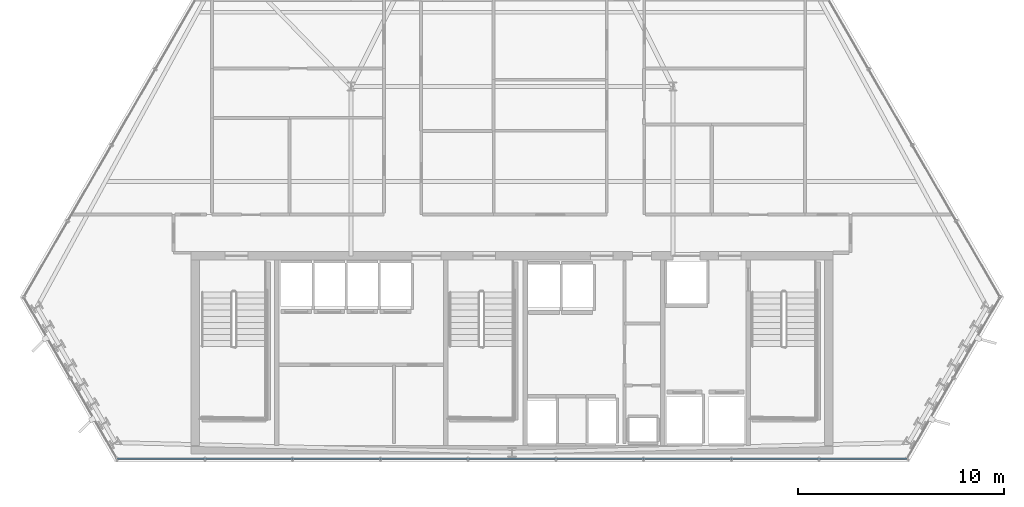
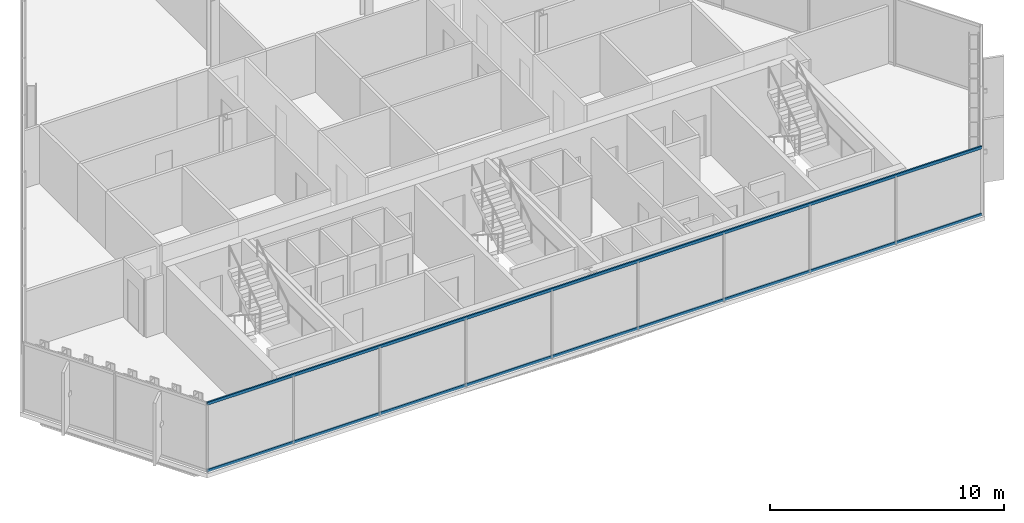
# One storey, part 7 of 34: 2 members, 1 element without a shape of its own.
"""IFC4 building model written with IfcOpenShell, lengths in metres."""

from ifc_helpers import new_model, si_unit, direction, frame, origin, origin_2d, place, context, subcontext, project, spatial, hollow_rectangle, extrude, material, layer, layer_set, material_profile, profile_set, type_object, element, aggregate, save


model = new_model("IFC4")

# Units and contexts
model_context = context("Model", 3, precision=1e-05, world=origin(), true_north=direction((0.0, 1.0)))
body_context = subcontext(model_context, "Body", "Model", "MODEL_VIEW")
ifc_project = project(units=[si_unit("LENGTHUNIT", "METRE"), si_unit("AREAUNIT", "SQUARE_METRE"), si_unit("VOLUMEUNIT", "CUBIC_METRE"), si_unit("PLANEANGLEUNIT", "RADIAN"), si_unit("MASSUNIT", "GRAM", prefix="KILO")], contexts=[model_context])

# Site, building, storey
site_placement = place(None, origin())
site = spatial("IfcSite", under=ifc_project, at=site_placement, CompositionType="ELEMENT")
building_placement = place(site_placement, origin())
building = spatial("IfcBuilding", under=site, at=building_placement, Name="Ndaravel Arena Tower", CompositionType="ELEMENT")
storey_placement = place(building_placement, frame((0.0, 0.0, 195.39990234375)))
storey = spatial("IfcBuildingStorey", under=building, at=storey_placement, Name="L47", CompositionType="ELEMENT", Elevation=195.39990234375)

# Curtain wall, members
ifc_material_1 = material(Name="Aluminium", Category="aluminium")
ifc_layer = layer(ifc_material_1, 0.179931640625)
ifc_layer_set = layer_set([ifc_layer], Name="Aluminium")
curtain_wall_type = type_object("IfcCurtainWallType", Name="CW-SYS-03", PredefinedType="NOTDEFINED", material=ifc_layer_set)
curtain_wall_placement = place(storey_placement, origin())
curtain_wall = element("IfcCurtainWall", 1, at=curtain_wall_placement, inside=storey, type_object=curtain_wall_type, Name="L47 Faceted Crystal Curtain Wall CW-L47-E01", PredefinedType="NOTDEFINED")
ifc_material_2 = material(Name="Aluminium", Category="aluminium")
ifc_material_profile = material_profile(ifc_material_2, hollow_rectangle(XDim=0.074951171875, YDim=0.14990234375, WallThickness=0.00390625, at=origin_2d()), Name="CW TRANSOM 75x150x4")
ifc_profile_set = profile_set([ifc_material_profile], Name="Aluminium")
member_type = type_object("IfcMemberType", Name="MEM-CW-TRN150", PredefinedType="USERDEFINED", material=ifc_profile_set)
member_1_placement = place(storey_placement, frame((22.871337890625, 5.159912109375, 0.0400390625), z_axis=(1.0, 0.0, 0.0), x_axis=(0.0, 1.0, 0.0)))
member_1 = element("IfcMember", 2, at=member_1_placement, type_object=member_type, Name="CW-L47-E01 Transom 01", ObjectType="TRANSOM", PredefinedType="USERDEFINED", context=body_context, shape_type="SweptSolid", body=[
    extrude(hollow_rectangle(XDim=0.074951171875, YDim=0.14990234375, WallThickness=0.00390625, at=origin_2d()), origin(), (0.0, 0.0, 1.0), 38.25732421875),
])
member_2_placement = place(storey_placement, frame((22.871337890625, 5.159912109375, 3.5400390625), z_axis=(1.0, 0.0, 0.0), x_axis=(0.0, 1.0, 0.0)))
member_2 = element("IfcMember", 3, at=member_2_placement, type_object=member_type, Name="CW-L47-E01 Transom 02", ObjectType="TRANSOM", PredefinedType="USERDEFINED", context=body_context, shape_type="SweptSolid", body=[
    extrude(hollow_rectangle(XDim=0.074951171875, YDim=0.14990234375, WallThickness=0.00390625, at=origin_2d()), origin(), (0.0, 0.0, 1.0), 38.25732421875),
])
aggregate(curtain_wall, [member_1, member_2])

save(model, "model.ifc")
